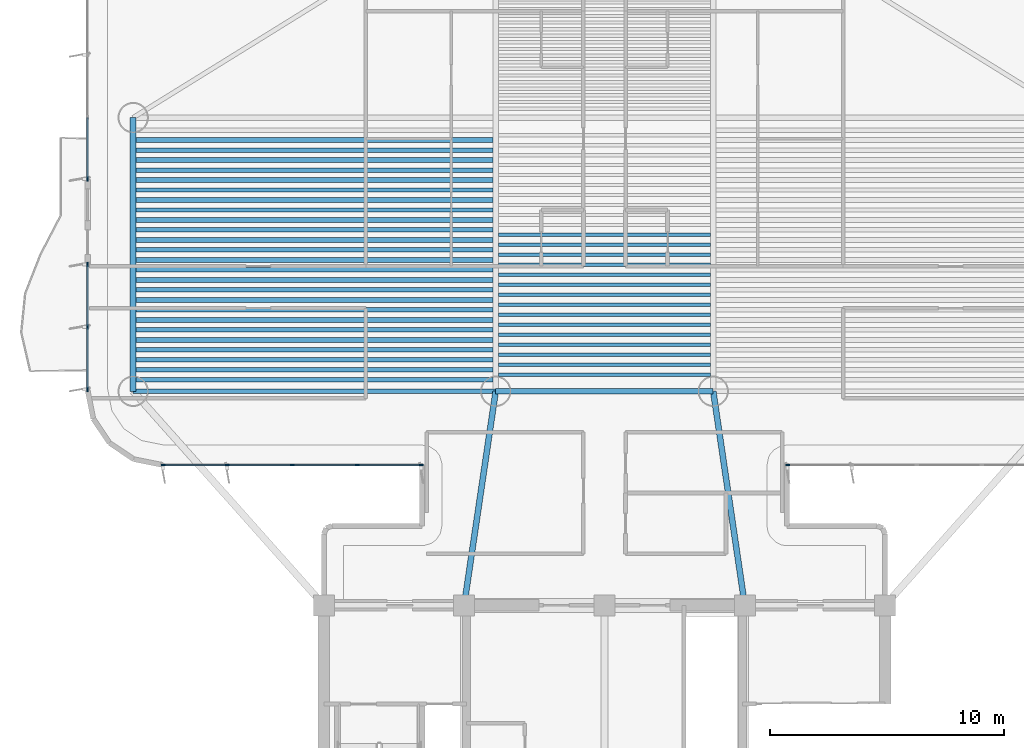
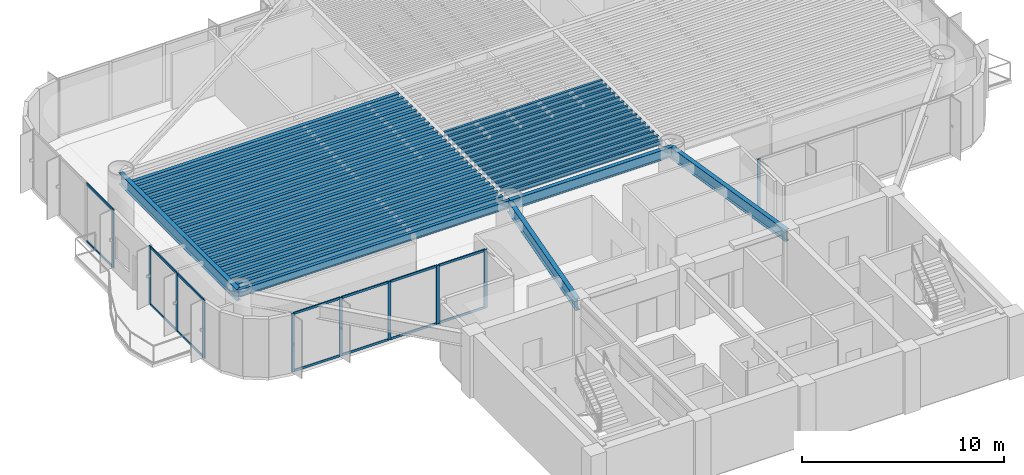
# One storey, part 2 of 16: 45 beams, 24 members, 4 elements without a shape of their own.
"""IFC4 building model written with IfcOpenShell, lengths in metres."""

from ifc_helpers import new_model, si_unit, direction, frame, origin, origin_2d, place, context, subcontext, project, spatial, rectangle, i_section, extrude, source, transform, mapped, material, layer, layer_set, material_profile, profile_set, type_object, element, aggregate, save


model = new_model("IFC4")

# Units and contexts
model_context = context("Model", 3, precision=1e-05, world=origin(), true_north=direction((0.0, 1.0)))
body_context = subcontext(model_context, "Body", "Model", "MODEL_VIEW")
ifc_project = project(units=[si_unit("LENGTHUNIT", "METRE"), si_unit("AREAUNIT", "SQUARE_METRE"), si_unit("VOLUMEUNIT", "CUBIC_METRE"), si_unit("PLANEANGLEUNIT", "RADIAN"), si_unit("MASSUNIT", "GRAM", prefix="KILO")], contexts=[model_context])

# Site, building, storey
site_placement = place(None, origin())
site = spatial("IfcSite", under=ifc_project, at=site_placement, CompositionType="ELEMENT")
building_placement = place(site_placement, origin())
building = spatial("IfcBuilding", under=site, at=building_placement, Name="Brelvock Crest Care Tower", CompositionType="ELEMENT")
storey_placement = place(building_placement, frame((0.0, 0.0, 138.9599609375)))
storey = spatial("IfcBuildingStorey", under=building, at=storey_placement, Name="L35", CompositionType="ELEMENT", Elevation=138.9599609375)

# Beams
ifc_material_1 = material(Name="Steel Grade 350", Category="steel")
ifc_material_profile_1 = material_profile(ifc_material_1, i_section(OverallWidth=0.22900390625, OverallDepth=0.612060546875, WebThickness=0.011962890625, FlangeThickness=0.01953125, FilletRadius=0.013916015625, at=origin_2d()), Name="610UB125")
ifc_profile_set_1 = profile_set([ifc_material_profile_1], Name="Steel Grade 350")
beam_type_1 = type_object("IfcBeamType", Name="BM-G1", PredefinedType="BEAM", material=ifc_profile_set_1)
shared_shape_1 = source(origin(), body_context, "Body", "SweptSolid", [
    extrude(i_section(OverallWidth=0.22900390625, OverallDepth=0.612060546875, WebThickness=0.011962890625, FlangeThickness=0.01953125, FilletRadius=0.013916015625, at=origin_2d()), origin(), (0.0, 0.0, 1.0), 9.2998046875),
])
beam_1_placement = place(storey_placement, frame((31.35009765625, 27.14990234375, 3.22412109375), z_axis=(1.0, 0.0, 0.0), x_axis=(0.0, 1.0, 0.0)))
element("IfcBeam", 1, at=beam_1_placement, inside=storey, type_object=beam_type_1, Name="BM-TWR-L35-05", PredefinedType="BEAM", context=body_context, shape_type="MappedRepresentation", body=[
    mapped(shared_shape_1, transform((0.0, 0.0, 0.0), x_axis=(1.0, 0.0, 0.0), y_axis=(0.0, 1.0, 0.0), z_axis=(0.0, 0.0, 1.0), scale=1.0)),
])
ifc_material_profile_2 = material_profile(ifc_material_1, i_section(OverallWidth=0.14599609375, OverallDepth=0.256103515625, WebThickness=0.00634765625, FlangeThickness=0.010986328125, FilletRadius=0.0087890625, at=origin_2d()), Name="250UB37.3")
ifc_profile_set_2 = profile_set([ifc_material_profile_2], Name="Steel Grade 350")
beam_type_2 = type_object("IfcBeamType", Name="BM-J3", PredefinedType="JOIST", material=ifc_profile_set_2)
shared_shape_2 = source(origin(), body_context, "Body", "SweptSolid", [
    extrude(i_section(OverallWidth=0.14599609375, OverallDepth=0.256103515625, WebThickness=0.00634765625, FlangeThickness=0.010986328125, FilletRadius=0.0087890625, at=origin_2d()), origin(), (0.0, 0.0, 1.0), 9.06982421875),
])
for number, where, z_axis, x_axis, name in (
    (2, (31.465087890625, 27.85498046875, 3.402099609375), (1.0, 0.0, 0.0), (0.0, 1.0, 0.0), "BM-JH-L35-1"),
    (3, (31.465087890625, 28.281982421875, 3.402099609375), (1.0, 0.0, 0.0), (0.0, 1.0, 0.0), "BM-JH-L35-2"),
    (4, (31.465087890625, 28.708984375, 3.402099609375), (1.0, 0.0, 0.0), (0.0, 1.0, 0.0), "BM-JH-L35-3"),
    (5, (31.465087890625, 29.135986328125, 3.402099609375), (1.0, 0.0, 0.0), (0.0, 1.0, 0.0), "BM-JH-L35-4"),
    (6, (31.465087890625, 29.56298828125, 3.402099609375), (1.0, 0.0, 0.0), (0.0, 1.0, 0.0), "BM-JH-L35-5"),
    (7, (31.465087890625, 29.990234375, 3.402099609375), (1.0, 0.0, 0.0), (0.0, 1.0, 0.0), "BM-JH-L35-6"),
    (8, (31.465087890625, 30.417236328125, 3.402099609375), (1.0, 0.0, 0.0), (0.0, 1.0, 0.0), "BM-JH-L35-7"),
    (9, (31.465087890625, 30.84423828125, 3.402099609375), (1.0, 0.0, 0.0), (0.0, 1.0, 0.0), "BM-JH-L35-8"),
    (10, (31.465087890625, 31.271240234375, 3.402099609375), (1.0, 0.0, 0.0), (0.0, 1.0, 0.0), "BM-JH-L35-9"),
    (11, (31.465087890625, 31.698486328125, 3.402099609375), (1.0, 0.0, 0.0), (0.0, 1.0, 0.0), "BM-JH-L35-10"),
    (12, (31.465087890625, 32.12548828125, 3.402099609375), (1.0, 0.0, 0.0), (0.0, 1.0, 0.0), "BM-JH-L35-11"),
    (13, (31.465087890625, 32.552490234375, 3.402099609375), (1.0, 0.0, 0.0), (0.0, 1.0, 0.0), "BM-JH-L35-12"),
    (14, (31.465087890625, 32.9794921875, 3.402099609375), (1.0, 0.0, 0.0), (0.0, 1.0, 0.0), "BM-JH-L35-13"),
    (15, (31.465087890625, 33.406494140625, 3.402099609375), (1.0, 0.0, 0.0), (0.0, 1.0, 0.0), "BM-JH-L35-14"),
    (16, (31.465087890625, 33.83349609375, 3.402099609375), (1.0, 0.0, 0.0), (0.0, 1.0, 0.0), "BM-JH-L35-15"),
):
    element("IfcBeam", number, at=place(storey_placement, frame(where, z_axis=z_axis, x_axis=x_axis)), inside=storey, type_object=beam_type_2, Name=name, PredefinedType="JOIST", context=body_context, shape_type="MappedRepresentation", body=[
        mapped(shared_shape_2, transform((0.0, 0.0, 0.0), x_axis=(1.0, 0.0, 0.0), y_axis=(0.0, 1.0, 0.0), z_axis=(0.0, 0.0, 1.0), scale=1.0)),
    ])
ifc_material_profile_3 = material_profile(ifc_material_1, i_section(OverallWidth=0.208984375, OverallDepth=0.532958984375, WebThickness=0.01025390625, FlangeThickness=0.015625, FilletRadius=0.013916015625, at=origin_2d()), Name="530UB92.4")
ifc_profile_set_3 = profile_set([ifc_material_profile_3], Name="Steel Grade 350")
beam_type_3 = type_object("IfcBeamType", Name="BM-G2", PredefinedType="BEAM", material=ifc_profile_set_3)
shared_shape_3 = source(origin(), body_context, "Body", "SweptSolid", [
    extrude(i_section(OverallWidth=0.208984375, OverallDepth=0.532958984375, WebThickness=0.01025390625, FlangeThickness=0.015625, FilletRadius=0.013916015625, at=origin_2d()), origin(), (0.0, 0.0, 1.0), 15.27001953125),
])
for number, where, z_axis, x_axis, name in (
    (17, (15.965087890625, 27.641357421875, 3.263427734375), (1.0, 0.0, 0.0), (0.0, 1.0, 0.0), "BM-JW-L35-1"),
    (18, (15.965087890625, 28.49560546875, 3.263427734375), (1.0, 0.0, 0.0), (0.0, 1.0, 0.0), "BM-JW-L35-3"),
    (19, (15.965087890625, 29.349609375, 3.263427734375), (1.0, 0.0, 0.0), (0.0, 1.0, 0.0), "BM-JW-L35-5"),
    (20, (15.965087890625, 30.20361328125, 3.263427734375), (1.0, 0.0, 0.0), (0.0, 1.0, 0.0), "BM-JW-L35-7"),
    (21, (15.965087890625, 31.057861328125, 3.263427734375), (1.0, 0.0, 0.0), (0.0, 1.0, 0.0), "BM-JW-L35-9"),
    (22, (15.965087890625, 31.911865234375, 3.263427734375), (1.0, 0.0, 0.0), (0.0, 1.0, 0.0), "BM-JW-L35-11"),
    (23, (15.965087890625, 32.76611328125, 3.263427734375), (1.0, 0.0, 0.0), (0.0, 1.0, 0.0), "BM-JW-L35-13"),
    (24, (15.965087890625, 33.6201171875, 3.263427734375), (1.0, 0.0, 0.0), (0.0, 1.0, 0.0), "BM-JW-L35-15"),
    (25, (15.965087890625, 34.47412109375, 3.263427734375), (1.0, 0.0, 0.0), (0.0, 1.0, 0.0), "BM-JW-L35-17"),
    (26, (15.965087890625, 35.328369140625, 3.263427734375), (1.0, 0.0, 0.0), (0.0, 1.0, 0.0), "BM-JW-L35-19"),
    (27, (15.965087890625, 36.182373046875, 3.263427734375), (1.0, 0.0, 0.0), (0.0, 1.0, 0.0), "BM-JW-L35-21"),
    (28, (15.965087890625, 37.03662109375, 3.263427734375), (1.0, 0.0, 0.0), (0.0, 1.0, 0.0), "BM-JW-L35-23"),
    (29, (15.965087890625, 37.890625, 3.263427734375), (1.0, 0.0, 0.0), (0.0, 1.0, 0.0), "BM-JW-L35-25"),
):
    element("IfcBeam", number, at=place(storey_placement, frame(where, z_axis=z_axis, x_axis=x_axis)), inside=storey, type_object=beam_type_3, Name=name, PredefinedType="BEAM", context=body_context, shape_type="MappedRepresentation", body=[
        mapped(shared_shape_3, transform((0.0, 0.0, 0.0), x_axis=(1.0, 0.0, 0.0), y_axis=(0.0, 1.0, 0.0), z_axis=(0.0, 0.0, 1.0), scale=1.0)),
    ])
ifc_material_profile_4 = material_profile(ifc_material_1, i_section(OverallWidth=0.19091796875, OverallDepth=0.4599609375, WebThickness=0.010009765625, FlangeThickness=0.01611328125, FilletRadius=0.011474609375, at=origin_2d()), Name="460UB82.1")
ifc_profile_set_4 = profile_set([ifc_material_profile_4], Name="Steel Grade 350")
beam_type_4 = type_object("IfcBeamType", Name="BM-G3", PredefinedType="BEAM", material=ifc_profile_set_4)
shared_shape_4 = source(origin(), body_context, "Body", "SweptSolid", [
    extrude(i_section(OverallWidth=0.19091796875, OverallDepth=0.4599609375, WebThickness=0.010009765625, FlangeThickness=0.01611328125, FilletRadius=0.011474609375, at=origin_2d()), origin(), (0.0, 0.0, 1.0), 15.27001953125),
])
for number, where, z_axis, x_axis, name in (
    (30, (15.965087890625, 28.068359375, 3.300048828125), (1.0, 0.0, 0.0), (0.0, 1.0, 0.0), "BM-JW-L35-2"),
    (31, (15.965087890625, 28.922607421875, 3.300048828125), (1.0, 0.0, 0.0), (0.0, 1.0, 0.0), "BM-JW-L35-4"),
    (32, (15.965087890625, 29.776611328125, 3.300048828125), (1.0, 0.0, 0.0), (0.0, 1.0, 0.0), "BM-JW-L35-6"),
    (33, (15.965087890625, 30.630615234375, 3.300048828125), (1.0, 0.0, 0.0), (0.0, 1.0, 0.0), "BM-JW-L35-8"),
    (34, (15.965087890625, 31.48486328125, 3.300048828125), (1.0, 0.0, 0.0), (0.0, 1.0, 0.0), "BM-JW-L35-10"),
    (35, (15.965087890625, 32.3388671875, 3.300048828125), (1.0, 0.0, 0.0), (0.0, 1.0, 0.0), "BM-JW-L35-12"),
    (36, (15.965087890625, 33.193115234375, 3.300048828125), (1.0, 0.0, 0.0), (0.0, 1.0, 0.0), "BM-JW-L35-14"),
    (37, (15.965087890625, 34.047119140625, 3.300048828125), (1.0, 0.0, 0.0), (0.0, 1.0, 0.0), "BM-JW-L35-16"),
    (38, (15.965087890625, 34.901123046875, 3.300048828125), (1.0, 0.0, 0.0), (0.0, 1.0, 0.0), "BM-JW-L35-18"),
    (39, (15.965087890625, 35.75537109375, 3.300048828125), (1.0, 0.0, 0.0), (0.0, 1.0, 0.0), "BM-JW-L35-20"),
    (40, (15.965087890625, 36.609619140625, 3.300048828125), (1.0, 0.0, 0.0), (0.0, 1.0, 0.0), "BM-JW-L35-22"),
    (41, (15.965087890625, 37.46337890625, 3.300048828125), (1.0, 0.0, 0.0), (0.0, 1.0, 0.0), "BM-JW-L35-24"),
):
    element("IfcBeam", number, at=place(storey_placement, frame(where, z_axis=z_axis, x_axis=x_axis)), inside=storey, type_object=beam_type_4, Name=name, PredefinedType="BEAM", context=body_context, shape_type="MappedRepresentation", body=[
        mapped(shared_shape_4, transform((0.0, 0.0, 0.0), x_axis=(1.0, 0.0, 0.0), y_axis=(0.0, 1.0, 0.0), z_axis=(0.0, 0.0, 1.0), scale=1.0)),
    ])
ifc_material_profile_5 = material_profile(ifc_material_1, i_section(OverallWidth=0.25, OverallDepth=0.699951171875, WebThickness=0.011962890625, FlangeThickness=0.02001953125, at=origin_2d()), Name="700WB150")
ifc_profile_set_5 = profile_set([ifc_material_profile_5], Name="Steel Grade 350")
beam_type_5 = type_object("IfcBeamType", Name="BM-G4", PredefinedType="BEAM", material=ifc_profile_set_5)
shared_shape_5 = source(origin(), body_context, "Body", "SweptSolid", [
    extrude(i_section(OverallWidth=0.25, OverallDepth=0.699951171875, WebThickness=0.011962890625, FlangeThickness=0.02001953125, at=origin_2d()), origin(), (0.0, 0.0, 1.0), 11.7001953125),
])
beam_2_placement = place(storey_placement, frame((15.85009765625, 27.14990234375, 3.179931640625), z_axis=(0.0, 1.0, 0.0), x_axis=(-1.0, 0.0, 0.0)))
element("IfcBeam", 42, at=beam_2_placement, inside=storey, type_object=beam_type_5, Name="BM-TWR-L35-01", PredefinedType="BEAM", context=body_context, shape_type="MappedRepresentation", body=[
    mapped(shared_shape_5, transform((0.0, 0.0, 0.0), x_axis=(1.0, 0.0, 0.0), y_axis=(0.0, 1.0, 0.0), z_axis=(0.0, 0.0, 1.0), scale=1.0)),
])
ifc_material_profile_6 = material_profile(ifc_material_1, i_section(OverallWidth=0.19091796875, OverallDepth=0.4599609375, WebThickness=0.010009765625, FlangeThickness=0.01611328125, FilletRadius=0.011474609375, at=origin_2d()), Name="460UB82.1")
ifc_profile_set_6 = profile_set([ifc_material_profile_6], Name="Steel Grade 350")
beam_type_6 = type_object("IfcBeamType", Name="BM-SP2", PredefinedType="SPANDREL", material=ifc_profile_set_6)
shared_shape_6 = source(origin(), body_context, "Body", "SweptSolid", [
    extrude(i_section(OverallWidth=0.19091796875, OverallDepth=0.4599609375, WebThickness=0.010009765625, FlangeThickness=0.01611328125, FilletRadius=0.011474609375, at=origin_2d()), origin(), (0.0, 0.0, 1.0), 15.5),
])
beam_3_placement = place(storey_placement, frame((15.85009765625, 27.14990234375, 3.300048828125), z_axis=(1.0, 0.0, 0.0), x_axis=(0.0, 1.0, 0.0)))
element("IfcBeam", 43, at=beam_3_placement, inside=storey, type_object=beam_type_6, Name="BM-TWR-L35-03", PredefinedType="SPANDREL", context=body_context, shape_type="MappedRepresentation", body=[
    mapped(shared_shape_6, transform((0.0, 0.0, 0.0), x_axis=(1.0, 0.0, 0.0), y_axis=(0.0, 1.0, 0.0), z_axis=(0.0, 0.0, 1.0), scale=1.0)),
])
shared_shape_7 = source(origin(), body_context, "Body", "SweptSolid", [
    extrude(i_section(OverallWidth=0.25, OverallDepth=0.699951171875, WebThickness=0.011962890625, FlangeThickness=0.02001953125, at=origin_2d()), origin(), (0.0, 0.0, 1.0), 9.2490234375),
])
for number, where, z_axis, x_axis, name in (
    (44, (30.0, 18.0, 3.179931640625), (0.145972731602, 0.989288613918, 0.0), (-0.989288613918, 0.145972731602, 0.0), "BM-THRW-L35"),
    (45, (42.0, 18.0, 3.179931640625), (-0.145972731602, 0.989288613918, 0.0), (-0.989288613918, -0.145972731602, 0.0), "BM-THRE-L35"),
):
    element("IfcBeam", number, at=place(storey_placement, frame(where, z_axis=z_axis, x_axis=x_axis)), inside=storey, type_object=beam_type_5, Name=name, PredefinedType="BEAM", context=body_context, shape_type="MappedRepresentation", body=[
        mapped(shared_shape_7, transform((0.0, 0.0, 0.0), x_axis=(1.0, 0.0, 0.0), y_axis=(0.0, 1.0, 0.0), z_axis=(0.0, 0.0, 1.0), scale=1.0)),
    ])

# Curtain wall, members
ifc_material_2 = material(Name="Dark Glass Double Glazed Low-E", Category="glass")
ifc_layer = layer(ifc_material_2, 0.2099609375, Name="CWS-3")
ifc_layer_set = layer_set([ifc_layer], Name="Dark Glass Double Glazed Low-E")
curtain_wall_type = type_object("IfcCurtainWallType", Name="CWS-3", PredefinedType="NOTDEFINED", material=ifc_layer_set)
curtain_wall_1_placement = place(storey_placement, origin())
curtain_wall_1 = element("IfcCurtainWall", 46, at=curtain_wall_1_placement, inside=storey, type_object=curtain_wall_type, Name="L35 Curtain Wall E12", PredefinedType="NOTDEFINED")
ifc_material_3 = material(Name="Aluminium 6063-T6", Category="aluminium")
ifc_material_profile_7 = material_profile(ifc_material_3, rectangle(XDim=0.06005859375, YDim=0.179931640625, at=origin_2d()), Name="ALU60x180")
ifc_profile_set_7 = profile_set([ifc_material_profile_7], Name="Aluminium 6063-T6")
member_type_1 = type_object("IfcMemberType", Name="CWM-2", PredefinedType="MULLION", material=ifc_profile_set_7)
shared_shape_8 = source(origin(), body_context, "Body", "SweptSolid", [
    extrude(rectangle(XDim=0.06005859375, YDim=0.179931640625, at=origin_2d()), origin(), (0.0, 0.0, 1.0), 3.530029296875),
])
member_1_placement = place(storey_placement, frame((28.169921875, 24.0, 0.0), z_axis=(0.0, 0.0, 1.0), x_axis=(0.0, -1.0, 0.0)))
member_1 = element("IfcMember", 47, at=member_1_placement, type_object=member_type_1, Name="CW-3 mullion 1", PredefinedType="MULLION", context=body_context, shape_type="MappedRepresentation", body=[
    mapped(shared_shape_8, transform((0.0, 0.0, 0.0), x_axis=(1.0, 0.0, 0.0), y_axis=(0.0, 1.0, 0.0), z_axis=(0.0, 0.0, 1.0), scale=1.0)),
])
member_2_placement = place(storey_placement, frame((25.425048828125, 24.0, 0.0), z_axis=(0.0, 0.0, 1.0), x_axis=(0.0, -1.0, 0.0)))
member_2 = element("IfcMember", 48, at=member_2_placement, type_object=member_type_1, Name="CW-3 mullion 2", PredefinedType="MULLION", context=body_context, shape_type="MappedRepresentation", body=[
    mapped(shared_shape_8, transform((0.0, 0.0, 0.0), x_axis=(1.0, 0.0, 0.0), y_axis=(0.0, 1.0, 0.0), z_axis=(0.0, 0.0, 1.0), scale=1.0)),
])
member_3_placement = place(storey_placement, frame((22.64990234375, 24.0, 0.0), z_axis=(0.0, 0.0, 1.0), x_axis=(0.0, -1.0, 0.0)))
member_3 = element("IfcMember", 49, at=member_3_placement, type_object=member_type_1, Name="CW-3 mullion 3", PredefinedType="MULLION", context=body_context, shape_type="MappedRepresentation", body=[
    mapped(shared_shape_8, transform((0.0, 0.0, 0.0), x_axis=(1.0, 0.0, 0.0), y_axis=(0.0, 1.0, 0.0), z_axis=(0.0, 0.0, 1.0), scale=1.0)),
])
member_4_placement = place(storey_placement, frame((19.875, 24.0, 0.0), z_axis=(0.0, 0.0, 1.0), x_axis=(0.0, -1.0, 0.0)))
member_4 = element("IfcMember", 50, at=member_4_placement, type_object=member_type_1, Name="CW-3 mullion 4", PredefinedType="MULLION", context=body_context, shape_type="MappedRepresentation", body=[
    mapped(shared_shape_8, transform((0.0, 0.0, 0.0), x_axis=(1.0, 0.0, 0.0), y_axis=(0.0, 1.0, 0.0), z_axis=(0.0, 0.0, 1.0), scale=1.0)),
])
member_5_placement = place(storey_placement, frame((17.1298828125, 24.0, 0.0), z_axis=(0.0, 0.0, 1.0), x_axis=(0.0, -1.0, 0.0)))
member_5 = element("IfcMember", 51, at=member_5_placement, type_object=member_type_1, Name="CW-3 mullion 5", PredefinedType="MULLION", context=body_context, shape_type="MappedRepresentation", body=[
    mapped(shared_shape_8, transform((0.0, 0.0, 0.0), x_axis=(1.0, 0.0, 0.0), y_axis=(0.0, 1.0, 0.0), z_axis=(0.0, 0.0, 1.0), scale=1.0)),
])

curtain_wall_2_placement = place(storey_placement, origin())
curtain_wall_2 = element("IfcCurtainWall", 52, at=curtain_wall_2_placement, inside=storey, type_object=curtain_wall_type, Name="L35 Curtain Wall E17A", PredefinedType="NOTDEFINED")
member_6_placement = place(storey_placement, frame((13.89990234375, 27.22998046875, 0.0), z_axis=(0.0, 0.0, 1.0), x_axis=(-1.0, 0.0, 0.0)))
member_6 = element("IfcMember", 53, at=member_6_placement, type_object=member_type_1, Name="CW-3 mullion 1", PredefinedType="MULLION", context=body_context, shape_type="MappedRepresentation", body=[
    mapped(shared_shape_8, transform((0.0, 0.0, 0.0), x_axis=(1.0, 0.0, 0.0), y_axis=(0.0, 1.0, 0.0), z_axis=(0.0, 0.0, 1.0), scale=1.0)),
])
member_7_placement = place(storey_placement, frame((13.89990234375, 29.89990234375, 0.0), z_axis=(0.0, 0.0, 1.0), x_axis=(-1.0, 0.0, 0.0)))
member_7 = element("IfcMember", 54, at=member_7_placement, type_object=member_type_1, Name="CW-3 mullion 2", PredefinedType="MULLION", context=body_context, shape_type="MappedRepresentation", body=[
    mapped(shared_shape_8, transform((0.0, 0.0, 0.0), x_axis=(1.0, 0.0, 0.0), y_axis=(0.0, 1.0, 0.0), z_axis=(0.0, 0.0, 1.0), scale=1.0)),
])
member_8_placement = place(storey_placement, frame((13.89990234375, 32.570068359375, 0.0), z_axis=(0.0, 0.0, 1.0), x_axis=(-1.0, 0.0, 0.0)))
member_8 = element("IfcMember", 55, at=member_8_placement, type_object=member_type_1, Name="CW-3 mullion 3", PredefinedType="MULLION", context=body_context, shape_type="MappedRepresentation", body=[
    mapped(shared_shape_8, transform((0.0, 0.0, 0.0), x_axis=(1.0, 0.0, 0.0), y_axis=(0.0, 1.0, 0.0), z_axis=(0.0, 0.0, 1.0), scale=1.0)),
])

# Curtain wall, member
curtain_wall_3_placement = place(storey_placement, origin())
curtain_wall_3 = element("IfcCurtainWall", 56, at=curtain_wall_3_placement, inside=storey, type_object=curtain_wall_type, Name="L35 Curtain Wall E17B", PredefinedType="NOTDEFINED")
member_9_placement = place(storey_placement, frame((13.89990234375, 36.22998046875, 0.0), z_axis=(0.0, 0.0, 1.0), x_axis=(-1.0, 0.0, 0.0)))
member_9 = element("IfcMember", 57, at=member_9_placement, type_object=member_type_1, Name="CW-3 mullion 1", PredefinedType="MULLION", context=body_context, shape_type="MappedRepresentation", body=[
    mapped(shared_shape_8, transform((0.0, 0.0, 0.0), x_axis=(1.0, 0.0, 0.0), y_axis=(0.0, 1.0, 0.0), z_axis=(0.0, 0.0, 1.0), scale=1.0)),
])

curtain_wall_4_placement = place(storey_placement, origin())
curtain_wall_4 = element("IfcCurtainWall", 58, at=curtain_wall_4_placement, inside=storey, type_object=curtain_wall_type, Name="L35 Curtain Wall E44", PredefinedType="NOTDEFINED")
member_10_placement = place(storey_placement, frame((43.830078125, 24.0, 0.0), z_axis=(0.0, 0.0, 1.0), x_axis=(0.0, -1.0, 0.0)))
member_10 = element("IfcMember", 59, at=member_10_placement, type_object=member_type_1, Name="CW-3 mullion 5", PredefinedType="MULLION", context=body_context, shape_type="MappedRepresentation", body=[
    mapped(shared_shape_8, transform((0.0, 0.0, 0.0), x_axis=(1.0, 0.0, 0.0), y_axis=(0.0, 1.0, 0.0), z_axis=(0.0, 0.0, 1.0), scale=1.0)),
])
aggregate(curtain_wall_4, [member_10])

# Member
ifc_material_profile_8 = material_profile(ifc_material_3, rectangle(XDim=0.06005859375, YDim=0.139892578125, at=origin_2d()), Name="ALU60x140")
ifc_profile_set_8 = profile_set([ifc_material_profile_8], Name="Aluminium 6063-T6")
member_type_2 = type_object("IfcMemberType", Name="CWT-2", PredefinedType="USERDEFINED", material=ifc_profile_set_8)
shared_shape_9 = source(origin(), body_context, "Body", "SweptSolid", [
    extrude(rectangle(XDim=0.06005859375, YDim=0.139892578125, at=origin_2d()), origin(), (0.0, 0.0, 1.0), 2.684814453125),
])
member_11_placement = place(storey_placement, frame((28.139892578125, 24.0, 0.030029296875), z_axis=(-1.0, 0.0, 0.0), x_axis=(0.0, -1.0, 0.0)))
member_11 = element("IfcMember", 60, at=member_11_placement, type_object=member_type_2, Name="CW-3 transom 1.1", ObjectType="TRANSOM", PredefinedType="USERDEFINED", context=body_context, shape_type="MappedRepresentation", body=[
    mapped(shared_shape_9, transform((0.0, 0.0, 0.0), x_axis=(1.0, 0.0, 0.0), y_axis=(0.0, 1.0, 0.0), z_axis=(0.0, 0.0, 1.0), scale=1.0)),
])

member_12_placement = place(storey_placement, frame((28.139892578125, 24.0, 3.5), z_axis=(-1.0, 0.0, 0.0), x_axis=(0.0, -1.0, 0.0)))
member_12 = element("IfcMember", 61, at=member_12_placement, type_object=member_type_2, Name="CW-3 transom 1.2", ObjectType="TRANSOM", PredefinedType="USERDEFINED", context=body_context, shape_type="MappedRepresentation", body=[
    mapped(shared_shape_9, transform((0.0, 0.0, 0.0), x_axis=(1.0, 0.0, 0.0), y_axis=(0.0, 1.0, 0.0), z_axis=(0.0, 0.0, 1.0), scale=1.0)),
])

shared_shape_10 = source(origin(), body_context, "Body", "SweptSolid", [
    extrude(rectangle(XDim=0.06005859375, YDim=0.139892578125, at=origin_2d()), origin(), (0.0, 0.0, 1.0), 2.715087890625),
])
member_13_placement = place(storey_placement, frame((25.39501953125, 24.0, 0.030029296875), z_axis=(-1.0, 0.0, 0.0), x_axis=(0.0, -1.0, 0.0)))
member_13 = element("IfcMember", 62, at=member_13_placement, type_object=member_type_2, Name="CW-3 transom 2.1", ObjectType="TRANSOM", PredefinedType="USERDEFINED", context=body_context, shape_type="MappedRepresentation", body=[
    mapped(shared_shape_10, transform((0.0, 0.0, 0.0), x_axis=(1.0, 0.0, 0.0), y_axis=(0.0, 1.0, 0.0), z_axis=(0.0, 0.0, 1.0), scale=1.0)),
])

member_14_placement = place(storey_placement, frame((25.39501953125, 24.0, 3.5), z_axis=(-1.0, 0.0, 0.0), x_axis=(0.0, -1.0, 0.0)))
member_14 = element("IfcMember", 63, at=member_14_placement, type_object=member_type_2, Name="CW-3 transom 2.2", ObjectType="TRANSOM", PredefinedType="USERDEFINED", context=body_context, shape_type="MappedRepresentation", body=[
    mapped(shared_shape_10, transform((0.0, 0.0, 0.0), x_axis=(1.0, 0.0, 0.0), y_axis=(0.0, 1.0, 0.0), z_axis=(0.0, 0.0, 1.0), scale=1.0)),
])

member_15_placement = place(storey_placement, frame((22.6201171875, 24.0, 0.030029296875), z_axis=(-1.0, 0.0, 0.0), x_axis=(0.0, -1.0, 0.0)))
member_15 = element("IfcMember", 64, at=member_15_placement, type_object=member_type_2, Name="CW-3 transom 3.1", ObjectType="TRANSOM", PredefinedType="USERDEFINED", context=body_context, shape_type="MappedRepresentation", body=[
    mapped(shared_shape_10, transform((0.0, 0.0, 0.0), x_axis=(1.0, 0.0, 0.0), y_axis=(0.0, 1.0, 0.0), z_axis=(0.0, 0.0, 1.0), scale=1.0)),
])

member_16_placement = place(storey_placement, frame((22.6201171875, 24.0, 3.5), z_axis=(-1.0, 0.0, 0.0), x_axis=(0.0, -1.0, 0.0)))
member_16 = element("IfcMember", 65, at=member_16_placement, type_object=member_type_2, Name="CW-3 transom 3.2", ObjectType="TRANSOM", PredefinedType="USERDEFINED", context=body_context, shape_type="MappedRepresentation", body=[
    mapped(shared_shape_10, transform((0.0, 0.0, 0.0), x_axis=(1.0, 0.0, 0.0), y_axis=(0.0, 1.0, 0.0), z_axis=(0.0, 0.0, 1.0), scale=1.0)),
])

shared_shape_11 = source(origin(), body_context, "Body", "SweptSolid", [
    extrude(rectangle(XDim=0.06005859375, YDim=0.139892578125, at=origin_2d()), origin(), (0.0, 0.0, 1.0), 2.68505859375),
])
member_17_placement = place(storey_placement, frame((19.844970703125, 24.0, 0.030029296875), z_axis=(-1.0, 0.0, 0.0), x_axis=(0.0, -1.0, 0.0)))
member_17 = element("IfcMember", 66, at=member_17_placement, type_object=member_type_2, Name="CW-3 transom 4.1", ObjectType="TRANSOM", PredefinedType="USERDEFINED", context=body_context, shape_type="MappedRepresentation", body=[
    mapped(shared_shape_11, transform((0.0, 0.0, 0.0), x_axis=(1.0, 0.0, 0.0), y_axis=(0.0, 1.0, 0.0), z_axis=(0.0, 0.0, 1.0), scale=1.0)),
])

member_18_placement = place(storey_placement, frame((19.844970703125, 24.0, 3.5), z_axis=(-1.0, 0.0, 0.0), x_axis=(0.0, -1.0, 0.0)))
member_18 = element("IfcMember", 67, at=member_18_placement, type_object=member_type_2, Name="CW-3 transom 4.2", ObjectType="TRANSOM", PredefinedType="USERDEFINED", context=body_context, shape_type="MappedRepresentation", body=[
    mapped(shared_shape_11, transform((0.0, 0.0, 0.0), x_axis=(1.0, 0.0, 0.0), y_axis=(0.0, 1.0, 0.0), z_axis=(0.0, 0.0, 1.0), scale=1.0)),
])

aggregate(curtain_wall_1, [member_1, member_2, member_3, member_4, member_5, member_11, member_12, member_13, member_14, member_15, member_16, member_17, member_18])

shared_shape_12 = source(origin(), body_context, "Body", "SweptSolid", [
    extrude(rectangle(XDim=0.06005859375, YDim=0.139892578125, at=origin_2d()), origin(), (0.0, 0.0, 1.0), 2.610107421875),
])
member_19_placement = place(storey_placement, frame((13.89990234375, 27.260009765625, 0.030029296875), z_axis=(0.0, 1.0, 0.0), x_axis=(-1.0, 0.0, 0.0)))
member_19 = element("IfcMember", 68, at=member_19_placement, type_object=member_type_2, Name="CW-3 transom 1.1", ObjectType="TRANSOM", PredefinedType="USERDEFINED", context=body_context, shape_type="MappedRepresentation", body=[
    mapped(shared_shape_12, transform((0.0, 0.0, 0.0), x_axis=(1.0, 0.0, 0.0), y_axis=(0.0, 1.0, 0.0), z_axis=(0.0, 0.0, 1.0), scale=1.0)),
])

member_20_placement = place(storey_placement, frame((13.89990234375, 27.260009765625, 3.5), z_axis=(0.0, 1.0, 0.0), x_axis=(-1.0, 0.0, 0.0)))
member_20 = element("IfcMember", 69, at=member_20_placement, type_object=member_type_2, Name="CW-3 transom 1.2", ObjectType="TRANSOM", PredefinedType="USERDEFINED", context=body_context, shape_type="MappedRepresentation", body=[
    mapped(shared_shape_12, transform((0.0, 0.0, 0.0), x_axis=(1.0, 0.0, 0.0), y_axis=(0.0, 1.0, 0.0), z_axis=(0.0, 0.0, 1.0), scale=1.0)),
])

member_21_placement = place(storey_placement, frame((13.89990234375, 29.929931640625, 0.030029296875), z_axis=(0.0, 1.0, 0.0), x_axis=(-1.0, 0.0, 0.0)))
member_21 = element("IfcMember", 70, at=member_21_placement, type_object=member_type_2, Name="CW-3 transom 2.1", ObjectType="TRANSOM", PredefinedType="USERDEFINED", context=body_context, shape_type="MappedRepresentation", body=[
    mapped(shared_shape_12, transform((0.0, 0.0, 0.0), x_axis=(1.0, 0.0, 0.0), y_axis=(0.0, 1.0, 0.0), z_axis=(0.0, 0.0, 1.0), scale=1.0)),
])

member_22_placement = place(storey_placement, frame((13.89990234375, 29.929931640625, 3.5), z_axis=(0.0, 1.0, 0.0), x_axis=(-1.0, 0.0, 0.0)))
member_22 = element("IfcMember", 71, at=member_22_placement, type_object=member_type_2, Name="CW-3 transom 2.2", ObjectType="TRANSOM", PredefinedType="USERDEFINED", context=body_context, shape_type="MappedRepresentation", body=[
    mapped(shared_shape_12, transform((0.0, 0.0, 0.0), x_axis=(1.0, 0.0, 0.0), y_axis=(0.0, 1.0, 0.0), z_axis=(0.0, 0.0, 1.0), scale=1.0)),
])

aggregate(curtain_wall_2, [member_6, member_7, member_8, member_19, member_20, member_21, member_22])

shared_shape_13 = source(origin(), body_context, "Body", "SweptSolid", [
    extrude(rectangle(XDim=0.06005859375, YDim=0.139892578125, at=origin_2d()), origin(), (0.0, 0.0, 1.0), 2.57666015625),
])
member_23_placement = place(storey_placement, frame((13.89990234375, 36.260009765625, 0.030029296875), z_axis=(0.0, 1.0, 0.0), x_axis=(-1.0, 0.0, 0.0)))
member_23 = element("IfcMember", 72, at=member_23_placement, type_object=member_type_2, Name="CW-3 transom 1.1", ObjectType="TRANSOM", PredefinedType="USERDEFINED", context=body_context, shape_type="MappedRepresentation", body=[
    mapped(shared_shape_13, transform((0.0, 0.0, 0.0), x_axis=(1.0, 0.0, 0.0), y_axis=(0.0, 1.0, 0.0), z_axis=(0.0, 0.0, 1.0), scale=1.0)),
])

member_24_placement = place(storey_placement, frame((13.89990234375, 36.260009765625, 3.5), z_axis=(0.0, 1.0, 0.0), x_axis=(-1.0, 0.0, 0.0)))
member_24 = element("IfcMember", 73, at=member_24_placement, type_object=member_type_2, Name="CW-3 transom 1.2", ObjectType="TRANSOM", PredefinedType="USERDEFINED", context=body_context, shape_type="MappedRepresentation", body=[
    mapped(shared_shape_13, transform((0.0, 0.0, 0.0), x_axis=(1.0, 0.0, 0.0), y_axis=(0.0, 1.0, 0.0), z_axis=(0.0, 0.0, 1.0), scale=1.0)),
])

aggregate(curtain_wall_3, [member_9, member_23, member_24])

save(model, "model.ifc")
